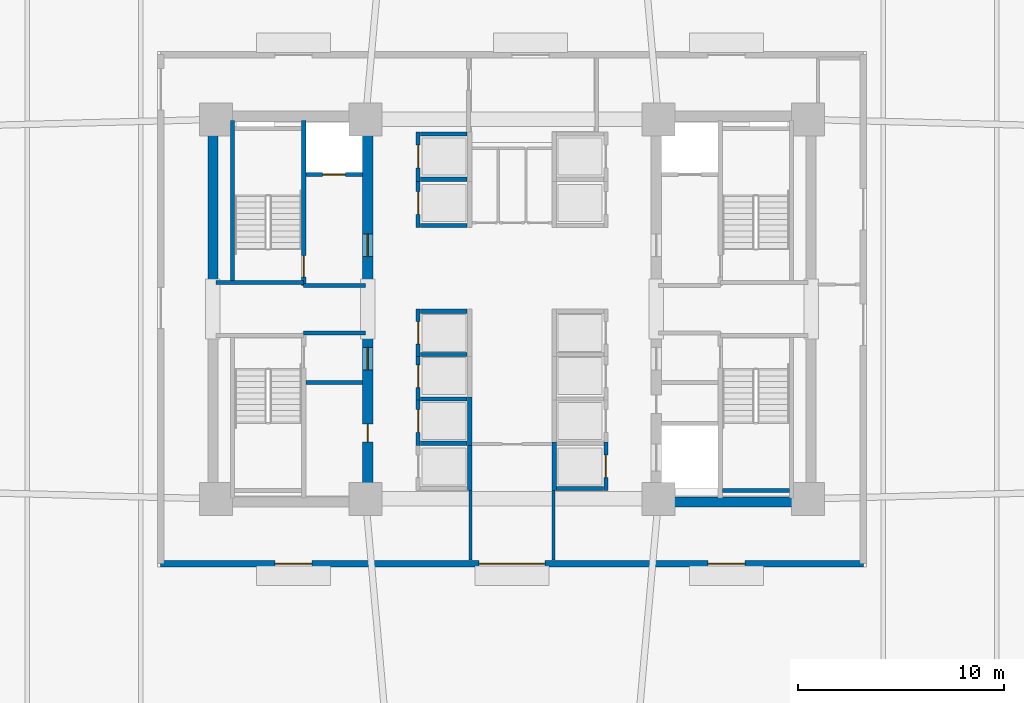
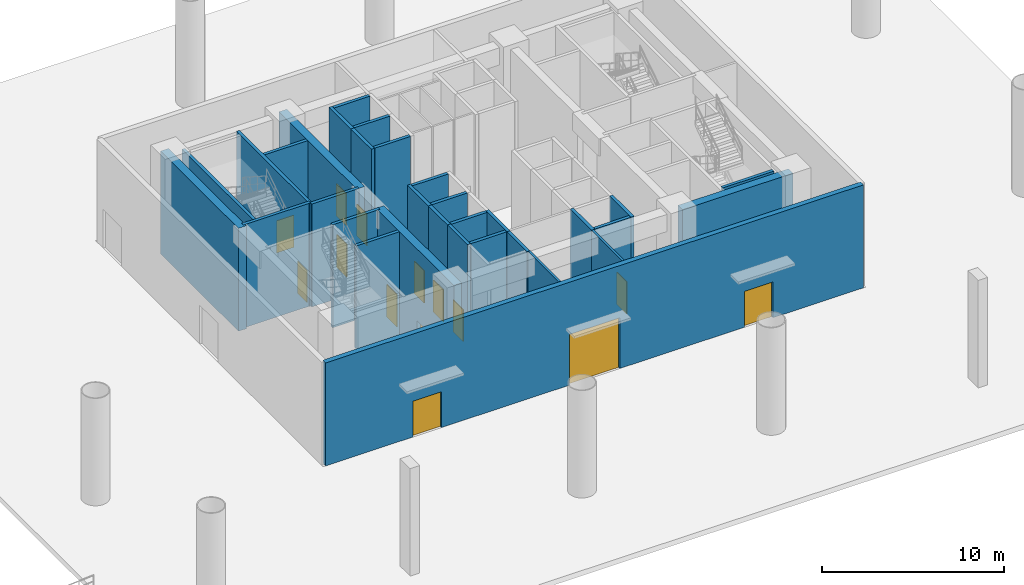
# One storey, part 3 of 10: 32 walls, 14 doors, 14 openings.
"""IFC4 building model written with IfcOpenShell, lengths in metres."""

import ifcopenshell
import ifcopenshell.guid

model = None  # the IFC model being written
_history = None  # IfcOwnerHistory: only IFC2X3 demands one
_inside = {}  # id of a spatial element -> (the spatial element, [elements in it])
_under = {}  # id of a project, library or spatial element -> (it, [spatial elements below it])
_declared = {}  # id of a project -> (the project, [libraries it declares])
_typed = {}  # id of a type object -> (the type object, [elements of that type])
_made_of = {}  # id of a material, layer set ... -> (it, [elements and type objects made of it])


def new_model(schema):
    """Start an empty IFC model of exactly this schema.

    Asked for "IFC4X3", IfcOpenShell would pick the latest addendum, in which some entities
    have other attributes; the version numbers below select the first issue.
    IFC2X3 requires an IfcOwnerHistory on every rooted entity: one is made here for all.
    """
    global model, _history
    if schema == "IFC4X3":
        model = ifcopenshell.file(schema_version=(4, 3, 0, 0))
    else:
        model = ifcopenshell.file(schema=schema)
    _inside.clear()
    _under.clear()
    _declared.clear()
    _typed.clear()
    _made_of.clear()
    _history = None
    if model.schema == "IFC2X3":
        org = make("IfcOrganization", Name="unknown")
        user = make(
            "IfcPersonAndOrganization",
            ThePerson=make("IfcPerson", FamilyName="unknown"),
            TheOrganization=org,
        )
        app = make(
            "IfcApplication",
            ApplicationDeveloper=org,
            Version="unknown",
            ApplicationFullName="unknown",
            ApplicationIdentifier="unknown",
        )
        _history = make(
            "IfcOwnerHistory",
            OwningUser=user,
            OwningApplication=app,
            ChangeAction="ADDED",
            CreationDate=0,
        )
    return model


def make(cls, **values):
    """One entity of the class cls with the attributes given. An attribute that is None is left unset."""
    return model.create_entity(
        cls, **{name: value for name, value in values.items() if value is not None}
    )


def rooted(cls, **values):
    """An entity with a GlobalId (a new one), such as an element, a storey or a relation."""
    return make(cls, GlobalId=ifcopenshell.guid.new(), OwnerHistory=_history, **values)


def si_unit(unit_type, name, prefix=None):
    """IfcSIUnit, for example si_unit("LENGTHUNIT", "METRE", prefix="MILLI")."""
    return make("IfcSIUnit", UnitType=unit_type, Prefix=prefix, Name=name)


def assignment(units):
    """IfcUnitAssignment: the units of a project."""
    return None if units is None else make("IfcUnitAssignment", Units=units)


def point(xyz):
    """IfcCartesianPoint."""
    return None if xyz is None else make("IfcCartesianPoint", Coordinates=xyz)


def direction(xyz):
    """IfcDirection."""
    return None if xyz is None else make("IfcDirection", DirectionRatios=xyz)


def frame(location, z_axis=None, x_axis=None):
    """IfcAxis2Placement3D, a coordinate frame: its origin and axes. An axis left out is left unset."""
    return make(
        "IfcAxis2Placement3D",
        Location=point(location),
        Axis=direction(z_axis),
        RefDirection=direction(x_axis),
    )


def frame_2d(location, x_axis=None):
    """IfcAxis2Placement2D, a coordinate frame in the plane: its origin and x axis."""
    return make(
        "IfcAxis2Placement2D", Location=point(location), RefDirection=direction(x_axis)
    )


def origin():
    """The frame at (0, 0, 0) with its axes left unset."""
    return frame((0.0, 0.0, 0.0))


def place(relative_to, where):
    """IfcLocalPlacement: puts the frame where relative to a parent placement (None: the world)."""
    return make(
        "IfcLocalPlacement", PlacementRelTo=relative_to, RelativePlacement=where
    )


def context(
    kind, dimensions, precision=None, world=None, true_north=None, identifier=None
):
    """IfcGeometricRepresentationContext, for example the 3D "Model" context."""
    return make(
        "IfcGeometricRepresentationContext",
        ContextIdentifier=identifier,
        ContextType=kind,
        CoordinateSpaceDimension=dimensions,
        Precision=precision,
        WorldCoordinateSystem=world,
        TrueNorth=true_north,
    )


def subcontext(parent, identifier, kind, view, scale=None):
    """IfcGeometricRepresentationSubContext, for example "Body" below "Model"."""
    return make(
        "IfcGeometricRepresentationSubContext",
        ContextIdentifier=identifier,
        ContextType=kind,
        ParentContext=parent,
        TargetScale=scale,
        TargetView=view,
    )


def project(units=None, contexts=None):
    """IfcProject with its units and contexts."""
    return rooted(
        "IfcProject",
        Name="project",
        RepresentationContexts=contexts,
        UnitsInContext=assignment(units),
    )


def spatial(cls, under=None, at=None, **own):
    """A site, building, storey or space (cls), placed at a placement, below another one or the project."""
    s = rooted(cls, ObjectPlacement=at, **own)
    if under is not None:
        _under.setdefault(under.id(), (under, []))[1].append(s)
    return s


def profile(cls, at=None, kind="AREA", **sizes):
    """A parametric profile (cls). Its sizes go by their IFC names, for example OverallWidth=200.0."""
    return make(cls, ProfileType=kind, Position=at, **sizes)


def rectangle(**sizes):
    """IfcRectangleProfileDef."""
    return profile("IfcRectangleProfileDef", **sizes)


def extrude(swept, where, along, depth):
    """IfcExtrudedAreaSolid: the profile swept, set in the frame where, extruded along a direction by depth."""
    return make(
        "IfcExtrudedAreaSolid",
        SweptArea=swept,
        Position=where,
        ExtrudedDirection=direction(along),
        Depth=depth,
    )


def shape(context_of_items, identifier, shape_type, items):
    """IfcShapeRepresentation: the items that make up one representation, for example the "Body"."""
    return make(
        "IfcShapeRepresentation",
        ContextOfItems=context_of_items,
        RepresentationIdentifier=identifier,
        RepresentationType=shape_type,
        Items=items,
    )


def source(mapping_origin, context_of_items, identifier, shape_type, items):
    """IfcRepresentationMap: a shape defined once, which mapped items show again and again."""
    return make(
        "IfcRepresentationMap",
        MappingOrigin=mapping_origin,
        MappedRepresentation=shape(context_of_items, identifier, shape_type, items),
    )


def transform(
    local_origin,
    x_axis=None,
    y_axis=None,
    z_axis=None,
    scale=None,
    scale2=None,
    scale3=None,
    uniform=True,
):
    """IfcCartesianTransformationOperator3D, or its non-uniform kind. x_axis, y_axis, z_axis: its Axis1, 2, 3."""
    if uniform:
        return make(
            "IfcCartesianTransformationOperator3D",
            Axis1=direction(x_axis),
            Axis2=direction(y_axis),
            LocalOrigin=point(local_origin),
            Scale=scale,
            Axis3=direction(z_axis),
        )
    return make(
        "IfcCartesianTransformationOperator3DnonUniform",
        Axis1=direction(x_axis),
        Axis2=direction(y_axis),
        LocalOrigin=point(local_origin),
        Scale=scale,
        Axis3=direction(z_axis),
        Scale2=scale2,
        Scale3=scale3,
    )


def mapped(mapping_source, mapping_target):
    """IfcMappedItem: shows the shape of a source again, moved by a transform."""
    return make(
        "IfcMappedItem", MappingSource=mapping_source, MappingTarget=mapping_target
    )


def material(Name=None, Category=None):
    """IfcMaterial."""
    return make("IfcMaterial", Name=Name, Category=Category)


def layer(
    of_material, thickness, ventilated=None, Name=None, Category=None, Priority=None
):
    """IfcMaterialLayer: one layer of a wall or slab, of a material (None: an air gap)."""
    return make(
        "IfcMaterialLayer",
        Material=of_material,
        LayerThickness=thickness,
        IsVentilated=ventilated,
        Name=Name,
        Category=Category,
        Priority=Priority,
    )


def layer_set(layers, Name=None):
    """IfcMaterialLayerSet."""
    return make("IfcMaterialLayerSet", MaterialLayers=layers, LayerSetName=Name)


def made_of(thing, what):
    """Note that an element or type object is made of a material, layer set ...; save() writes the relation."""
    if what is not None:
        _made_of.setdefault(what.id(), (what, []))[1].append(thing)
    return thing


def type_object(cls, material=None, **own):
    """A type object (cls), such as IfcWallType, which elements share."""
    return made_of(rooted(cls, **own), material)


def element(
    cls,
    number,
    at=None,
    inside=None,
    cuts=None,
    type_object=None,
    material=None,
    context=None,
    identifier="Body",
    shape_type=None,
    held_by="IfcProductDefinitionShape",
    body=None,
    shapes=None,
    **own,
):
    """One element of the class cls, such as IfcWall. Its Tag is "e" and its number.

    at: its placement. inside: the storey or other place that contains it. cuts: it is an
    opening in that element (IfcRelVoidsElement). A single representation is given by context,
    identifier, shape_type and body (its items); several are given by shapes. held_by: the class
    of the entity that holds the representations. save() writes the other relations.
    """
    e = rooted(cls, Tag="e%d" % number, ObjectPlacement=at, **own)
    if body is not None:
        shapes = [shape(context, identifier, shape_type, body)]
    if shapes is not None:
        e.Representation = make(held_by, Representations=shapes)
    if inside is not None:
        _inside.setdefault(inside.id(), (inside, []))[1].append(e)
    if cuts is not None:
        rooted(
            "IfcRelVoidsElement", RelatingBuildingElement=cuts, RelatedOpeningElement=e
        )
    if type_object is not None:
        _typed.setdefault(type_object.id(), (type_object, []))[1].append(e)
    return made_of(e, material)


def fill(opening, filler):
    """IfcRelFillsElement: the door or window that sits in an opening."""
    return rooted(
        "IfcRelFillsElement",
        RelatingOpeningElement=opening,
        RelatedBuildingElement=filler,
    )


def aggregate(whole, parts):
    """IfcRelAggregates: a whole, such as a stair, and the parts it consists of."""
    return rooted("IfcRelAggregates", RelatingObject=whole, RelatedObjects=parts)


def save(model, path):
    """Write the relations noted so far, then the file.

    IfcRelAggregates (storeys below a building ...), IfcRelContainedInSpatialStructure (elements
    in a storey), IfcRelDefinesByType, IfcRelAssociatesMaterial and IfcRelDeclares: one each for
    every whole, place, type object, material and project.
    """
    for whole, parts in _under.values():
        aggregate(whole, parts)
    for where, things in _inside.values():
        rooted(
            "IfcRelContainedInSpatialStructure",
            RelatedElements=things,
            RelatingStructure=where,
        )
    for kind, things in _typed.values():
        rooted("IfcRelDefinesByType", RelatedObjects=things, RelatingType=kind)
    for what, things in _made_of.values():
        rooted("IfcRelAssociatesMaterial", RelatedObjects=things, RelatingMaterial=what)
    for by, libraries in _declared.values():
        rooted("IfcRelDeclares", RelatingContext=by, RelatedDefinitions=libraries)
    model.write(path)


model = new_model("IFC4")

# Units and contexts
model_context = context("Model", 3, precision=1e-05, world=origin(), true_north=direction((0.0, 1.0)))
body_context = subcontext(model_context, "Body", "Model", "MODEL_VIEW")
ifc_project = project(units=[si_unit("LENGTHUNIT", "METRE"), si_unit("AREAUNIT", "SQUARE_METRE"), si_unit("VOLUMEUNIT", "CUBIC_METRE"), si_unit("PLANEANGLEUNIT", "RADIAN"), si_unit("MASSUNIT", "GRAM", prefix="KILO")], contexts=[model_context])

# Site, building, storey
site_placement = place(None, origin())
site = spatial("IfcSite", under=ifc_project, at=site_placement, CompositionType="ELEMENT")
building_placement = place(site_placement, origin())
building = spatial("IfcBuilding", under=site, at=building_placement, Name="Zahravan Cultural Tower", CompositionType="ELEMENT")
storey_placement = place(building_placement, origin())
storey = spatial("IfcBuildingStorey", under=building, at=storey_placement, Name="L00", CompositionType="ELEMENT", Elevation=0.0)

# Wall, openings, doors
ifc_material_1 = material(Name="Concrete C60/75", Category="concrete")
ifc_layer_1 = layer(ifc_material_1, 0.5)
ifc_layer_set_1 = layer_set([ifc_layer_1], Name="Concrete C60/75")
wall_type_1 = type_object("IfcWallType", Name="CW-SHEAR-500-C60", PredefinedType="SHEAR", material=ifc_layer_set_1)
wall_1_placement = place(storey_placement, frame((29.0, 17.39990234375, 0.0), z_axis=(0.0, 0.0, 1.0), x_axis=(0.0, 1.0, 0.0)))
wall_1 = element("IfcWall", 1, at=wall_1_placement, inside=storey, type_object=wall_type_1, Name="L00 Core Shear Wall CW-W-ES-L00", PredefinedType="SHEAR", context=body_context, shape_type="SweptSolid", body=[
    extrude(rectangle(XDim=8.550048828125, YDim=0.5, at=frame_2d((4.27490234375, 0.0))), origin(), (0.0, 0.0, 1.0), 6.89990234375),
])
opening_1_placement = place(wall_1_placement, frame((6.64990234375, 0.0, 0.0)))
opening_1 = element("IfcOpeningElement", 2, at=opening_1_placement, cuts=wall_1, Name="Opening D-L00-07", PredefinedType="OPENING", context=body_context, shape_type="SweptSolid", body=[
    extrude(rectangle(XDim=1.10009765625, YDim=2.199951171875, at=frame_2d((0.550048828125, 1.10009765625))), frame((0.0, 0.260009765625, 0.0), z_axis=(0.0, -1.0, 0.0), x_axis=(1.0, 0.0, 0.0)), (0.0, 0.0, 1.0), 0.52001953125),
])
opening_2_placement = place(wall_1_placement, frame((3.14990234375, 0.0, 0.0)))
opening_2 = element("IfcOpeningElement", 3, at=opening_2_placement, cuts=wall_1, Name="Opening D-L00-09", PredefinedType="OPENING", context=body_context, shape_type="SweptSolid", body=[
    extrude(rectangle(XDim=0.8798828125, YDim=2.10009765625, at=frame_2d((0.43994140625, 1.050048828125))), frame((0.0, 0.260009765625, 0.0), z_axis=(0.0, -1.0, 0.0), x_axis=(1.0, 0.0, 0.0)), (0.0, 0.0, 1.0), 0.52001953125),
])
ifc_material_2 = material(Name="Steel ASTM A572 Grade 50", Category="steel")
door_type_1 = type_object("IfcDoorType", Name="DR-LOBBY-1100", OperationType="NOTDEFINED", PredefinedType="DOOR", material=ifc_material_2)
shared_shape_1 = source(origin(), body_context, "Body", "SweptSolid", [
    extrude(rectangle(XDim=1.10009765625, YDim=2.199951171875, at=frame_2d((0.550048828125, 1.10009765625))), frame((0.0, 0.02490234375, 0.0), z_axis=(0.0, -1.0, 0.0), x_axis=(1.0, 0.0, 0.0)), (0.0, 0.0, 1.0), 0.050048828125),
])
door_1_placement = place(opening_1_placement, origin())
door_1 = element("IfcDoor", 4, at=door_1_placement, inside=storey, type_object=door_type_1, Name="L00 Door D-L00-07", OperationType="SINGLE_SWING_LEFT", OverallHeight=2.199951171875, OverallWidth=1.10009765625, PredefinedType="DOOR", context=body_context, shape_type="MappedRepresentation", body=[
    mapped(shared_shape_1, transform((0.0, 0.0, 0.0), x_axis=(1.0, 0.0, 0.0), y_axis=(0.0, 1.0, 0.0), z_axis=(0.0, 0.0, 1.0), scale=1.0)),
])
fill(opening_1, door_1)
door_type_2 = type_object("IfcDoorType", Name="DR-SVC-880", OperationType="NOTDEFINED", PredefinedType="DOOR", material=ifc_material_2)
shared_shape_2 = source(origin(), body_context, "Body", "SweptSolid", [
    extrude(rectangle(XDim=0.8798828125, YDim=2.10009765625, at=frame_2d((0.43994140625, 1.050048828125))), frame((0.0, 0.02490234375, 0.0), z_axis=(0.0, -1.0, 0.0), x_axis=(1.0, 0.0, 0.0)), (0.0, 0.0, 1.0), 0.050048828125),
])
door_2_placement = place(opening_2_placement, origin())
door_2 = element("IfcDoor", 5, at=door_2_placement, inside=storey, type_object=door_type_2, Name="L00 Door D-L00-09", OperationType="SINGLE_SWING_LEFT", OverallHeight=2.10009765625, OverallWidth=0.8798828125, PredefinedType="DOOR", context=body_context, shape_type="MappedRepresentation", body=[
    mapped(shared_shape_2, transform((0.0, 0.0, 0.0), x_axis=(1.0, 0.0, 0.0), y_axis=(0.0, 1.0, 0.0), z_axis=(0.0, 0.0, 1.0), scale=1.0)),
])
fill(opening_2, door_2)

# Wall, opening, door
wall_2_placement = place(storey_placement, frame((29.0, 28.050048828125, 0.0), z_axis=(0.0, 0.0, 1.0), x_axis=(0.0, 1.0, 0.0)))
wall_2 = element("IfcWall", 6, at=wall_2_placement, inside=storey, type_object=wall_type_1, Name="L00 Core Shear Wall CW-W-EN-L00", PredefinedType="SHEAR", context=body_context, shape_type="SweptSolid", body=[
    extrude(rectangle(XDim=8.550048828125, YDim=0.5, at=frame_2d((4.27490234375, 0.0))), origin(), (0.0, 0.0, 1.0), 6.89990234375),
])
opening_3_placement = place(wall_2_placement, frame((1.5, 0.0, 0.0)))
opening_3 = element("IfcOpeningElement", 7, at=opening_3_placement, cuts=wall_2, Name="Opening D-L00-05", PredefinedType="OPENING", context=body_context, shape_type="SweptSolid", body=[
    extrude(rectangle(XDim=1.10009765625, YDim=2.199951171875, at=frame_2d((0.550048828125, 1.10009765625))), frame((0.0, 0.260009765625, 0.0), z_axis=(0.0, -1.0, 0.0), x_axis=(1.0, 0.0, 0.0)), (0.0, 0.0, 1.0), 0.52001953125),
])
door_3_placement = place(opening_3_placement, origin())
door_3 = element("IfcDoor", 8, at=door_3_placement, inside=storey, type_object=door_type_1, Name="L00 Door D-L00-05", OperationType="SINGLE_SWING_LEFT", OverallHeight=2.199951171875, OverallWidth=1.10009765625, PredefinedType="DOOR", context=body_context, shape_type="MappedRepresentation", body=[
    mapped(shared_shape_1, transform((0.0, 0.0, 0.0), x_axis=(1.0, 0.0, 0.0), y_axis=(0.0, 1.0, 0.0), z_axis=(0.0, 0.0, 1.0), scale=1.0)),
])
fill(opening_3, door_3)

# Wall, openings, doors
ifc_material_3 = material(Name="Precast concrete C40/50", Category="concrete")
ifc_layer_2 = layer(ifc_material_3, 0.320068359375)
ifc_layer_set_2 = layer_set([ifc_layer_2], Name="Precast concrete C40/50")
wall_type_2 = type_object("IfcWallType", Name="EW-TC-320", PredefinedType="SOLIDWALL", material=ifc_layer_set_2)
wall_3_placement = place(storey_placement, frame((53.0400390625, 14.659912109375, 0.0), z_axis=(0.0, 0.0, 1.0), x_axis=(-1.0, 0.0, 0.0)))
wall_3 = element("IfcWall", 9, at=wall_3_placement, inside=storey, type_object=wall_type_2, Name="L00 Foyer Exterior Wall EW-L00-S", PredefinedType="SOLIDWALL", context=body_context, shape_type="SweptSolid", body=[
    extrude(rectangle(XDim=34.080078125, YDim=0.320068359375, at=frame_2d((17.0400390625, 0.0))), origin(), (0.0, 0.0, 1.0), 6.89990234375),
])
opening_4_placement = place(wall_3_placement, frame((5.739990234375, 0.0, 0.0)))
opening_4 = element("IfcOpeningElement", 10, at=opening_4_placement, cuts=wall_3, Name="Opening D-ST-E2", PredefinedType="OPENING", context=body_context, shape_type="SweptSolid", body=[
    extrude(rectangle(XDim=1.800048828125, YDim=2.39990234375, at=frame_2d((0.89990234375, 1.199951171875))), frame((0.0, 0.169921875, 0.0), z_axis=(0.0, -1.0, 0.0), x_axis=(1.0, 0.0, 0.0)), (0.0, 0.0, 1.0), 0.340087890625),
])
opening_5_placement = place(wall_3_placement, frame((15.43994140625, 0.0, 0.0)))
opening_5 = element("IfcOpeningElement", 11, at=opening_5_placement, cuts=wall_3, Name="Opening GT-01", PredefinedType="OPENING", context=body_context, shape_type="SweptSolid", body=[
    extrude(rectangle(XDim=3.199951171875, YDim=3.39990234375, at=frame_2d((1.60009765625, 1.699951171875))), frame((0.0, 0.169921875, 0.0), z_axis=(0.0, -1.0, 0.0), x_axis=(1.0, 0.0, 0.0)), (0.0, 0.0, 1.0), 0.340087890625),
])
opening_6_placement = place(wall_3_placement, frame((26.739990234375, 0.0, 0.0)))
opening_6 = element("IfcOpeningElement", 12, at=opening_6_placement, cuts=wall_3, Name="Opening D-ST-W2", PredefinedType="OPENING", context=body_context, shape_type="SweptSolid", body=[
    extrude(rectangle(XDim=1.800048828125, YDim=2.39990234375, at=frame_2d((0.89990234375, 1.199951171875))), frame((0.0, 0.169921875, 0.0), z_axis=(0.0, -1.0, 0.0), x_axis=(1.0, 0.0, 0.0)), (0.0, 0.0, 1.0), 0.340087890625),
])
ifc_material_4 = material(Name="Anodised bronze-aluminium mullion", Category="aluminium")
door_type_3 = type_object("IfcDoorType", Name="DR-EXIT-1800", OperationType="DOUBLE_DOOR_SINGLE_SWING", PredefinedType="DOOR", material=ifc_material_4)
shared_shape_3 = source(origin(), body_context, "Body", "SweptSolid", [
    extrude(rectangle(XDim=1.800048828125, YDim=2.39990234375, at=frame_2d((0.89990234375, 1.199951171875))), frame((0.0, 0.02490234375, 0.0), z_axis=(0.0, -1.0, 0.0), x_axis=(1.0, 0.0, 0.0)), (0.0, 0.0, 1.0), 0.050048828125),
])
door_4_placement = place(opening_4_placement, origin())
door_4 = element("IfcDoor", 13, at=door_4_placement, inside=storey, type_object=door_type_3, Name="L00 Exterior Door D-ST-E2", OperationType="DOUBLE_DOOR_SINGLE_SWING", OverallHeight=2.39990234375, OverallWidth=1.800048828125, PredefinedType="DOOR", context=body_context, shape_type="MappedRepresentation", body=[
    mapped(shared_shape_3, transform((0.0, 0.0, 0.0), x_axis=(1.0, 0.0, 0.0), y_axis=(0.0, 1.0, 0.0), z_axis=(0.0, 0.0, 1.0), scale=1.0)),
])
fill(opening_4, door_4)
door_5_placement = place(opening_6_placement, origin())
door_5 = element("IfcDoor", 14, at=door_5_placement, inside=storey, type_object=door_type_3, Name="L00 Exterior Door D-ST-W2", OperationType="DOUBLE_DOOR_SINGLE_SWING", OverallHeight=2.39990234375, OverallWidth=1.800048828125, PredefinedType="DOOR", context=body_context, shape_type="MappedRepresentation", body=[
    mapped(shared_shape_3, transform((0.0, 0.0, 0.0), x_axis=(1.0, 0.0, 0.0), y_axis=(0.0, 1.0, 0.0), z_axis=(0.0, 0.0, 1.0), scale=1.0)),
])
fill(opening_6, door_5)
door_type_4 = type_object("IfcDoorType", Name="GT-DOCK-3200", OperationType="ROLLINGUP", PredefinedType="GATE", material=ifc_material_4)
shared_shape_4 = source(origin(), body_context, "Body", "SweptSolid", [
    extrude(rectangle(XDim=3.199951171875, YDim=3.39990234375, at=frame_2d((1.60009765625, 1.699951171875))), frame((0.0, 0.02490234375, 0.0), z_axis=(0.0, -1.0, 0.0), x_axis=(1.0, 0.0, 0.0)), (0.0, 0.0, 1.0), 0.050048828125),
])
door_6_placement = place(opening_5_placement, origin())
door_6 = element("IfcDoor", 15, at=door_6_placement, inside=storey, type_object=door_type_4, Name="L00 Exterior Door GT-01", OperationType="ROLLINGUP", OverallHeight=3.39990234375, OverallWidth=3.199951171875, PredefinedType="GATE", context=body_context, shape_type="MappedRepresentation", body=[
    mapped(shared_shape_4, transform((0.0, 0.0, 0.0), x_axis=(1.0, 0.0, 0.0), y_axis=(0.0, 1.0, 0.0), z_axis=(0.0, 0.0, 1.0), scale=1.0)),
])
fill(opening_5, door_6)

# Wall, opening, door
ifc_material_5 = material(Name="Concrete C45/55", Category="concrete")
ifc_layer_3 = layer(ifc_material_5, 0.199951171875)
ifc_layer_set_3 = layer_set([ifc_layer_3], Name="Concrete C45/55")
wall_type_3 = type_object("IfcWallType", Name="W-SHAFT-200", PredefinedType="SOLIDWALL", material=ifc_layer_set_3)
wall_4_placement = place(storey_placement, frame((25.89990234375, 28.14990234375, 0.0), z_axis=(0.0, 0.0, 1.0), x_axis=(0.0, 1.0, 0.0)))
wall_4 = element("IfcWall", 16, at=wall_4_placement, inside=storey, type_object=wall_type_3, Name="L00 Interior Wall 006", PredefinedType="SOLIDWALL", context=body_context, shape_type="SweptSolid", body=[
    extrude(rectangle(XDim=8.0, YDim=0.199951171875, at=frame_2d((4.0, 0.0))), origin(), (0.0, 0.0, 1.0), 6.89990234375),
])
opening_7_placement = place(wall_4_placement, frame((0.39990234375, 0.0, 0.0)))
opening_7 = element("IfcOpeningElement", 17, at=opening_7_placement, cuts=wall_4, Name="Opening D-L00-01", PredefinedType="OPENING", context=body_context, shape_type="SweptSolid", body=[
    extrude(rectangle(XDim=1.050048828125, YDim=2.14990234375, at=frame_2d((0.52490234375, 1.074951171875))), frame((0.0, 0.10986328125, 0.0), z_axis=(0.0, -1.0, 0.0), x_axis=(1.0, 0.0, 0.0)), (0.0, 0.0, 1.0), 0.219970703125),
])
door_type_5 = type_object("IfcDoorType", Name="DR-STAIR-1050", OperationType="NOTDEFINED", PredefinedType="DOOR", material=ifc_material_2)
shared_shape_5 = source(origin(), body_context, "Body", "SweptSolid", [
    extrude(rectangle(XDim=1.050048828125, YDim=2.14990234375, at=frame_2d((0.52490234375, 1.074951171875))), frame((0.0, 0.02490234375, 0.0), z_axis=(0.0, -1.0, 0.0), x_axis=(1.0, 0.0, 0.0)), (0.0, 0.0, 1.0), 0.050048828125),
])
door_7_placement = place(opening_7_placement, origin())
door_7 = element("IfcDoor", 18, at=door_7_placement, inside=storey, type_object=door_type_5, Name="L00 Door D-L00-01", OperationType="SINGLE_SWING_LEFT", OverallHeight=2.14990234375, OverallWidth=1.050048828125, PredefinedType="DOOR", context=body_context, shape_type="MappedRepresentation", body=[
    mapped(shared_shape_5, transform((0.0, 0.0, 0.0), x_axis=(1.0, 0.0, 0.0), y_axis=(0.0, 1.0, 0.0), z_axis=(0.0, 0.0, 1.0), scale=1.0)),
])
fill(opening_7, door_7)

wall_5_placement = place(storey_placement, frame((26.0, 33.52001953125, 0.0), z_axis=(0.0, 0.0, 1.0), x_axis=(1.0, 0.0, 0.0)))
wall_5 = element("IfcWall", 19, at=wall_5_placement, inside=storey, type_object=wall_type_3, Name="L00 Interior Wall 021", PredefinedType="SOLIDWALL", context=body_context, shape_type="SweptSolid", body=[
    extrude(rectangle(XDim=2.75, YDim=0.199951171875, at=frame_2d((1.375, 0.0))), origin(), (0.0, 0.0, 1.0), 6.89990234375),
])
opening_8_placement = place(wall_5_placement, frame((0.820068359375, 0.0, 0.0)))
opening_8 = element("IfcOpeningElement", 20, at=opening_8_placement, cuts=wall_5, Name="Opening LD-L00-01", PredefinedType="OPENING", context=body_context, shape_type="SweptSolid", body=[
    extrude(rectangle(XDim=1.10009765625, YDim=2.14990234375, at=frame_2d((0.550048828125, 1.074951171875))), frame((0.0, 0.10986328125, 0.0), z_axis=(0.0, -1.0, 0.0), x_axis=(1.0, 0.0, 0.0)), (0.0, 0.0, 1.0), 0.219970703125),
])
door_type_6 = type_object("IfcDoorType", Name="DR-LIFT-1100", OperationType="DOUBLE_DOOR_SLIDING", PredefinedType="DOOR", material=ifc_material_2)
shared_shape_6 = source(origin(), body_context, "Body", "SweptSolid", [
    extrude(rectangle(XDim=1.10009765625, YDim=2.14990234375, at=frame_2d((0.550048828125, 1.074951171875))), frame((0.0, 0.02490234375, 0.0), z_axis=(0.0, -1.0, 0.0), x_axis=(1.0, 0.0, 0.0)), (0.0, 0.0, 1.0), 0.050048828125),
])
door_8_placement = place(opening_8_placement, origin())
door_8 = element("IfcDoor", 21, at=door_8_placement, inside=storey, type_object=door_type_6, Name="L00 Door LD-L00-01", OperationType="DOUBLE_DOOR_SLIDING", OverallHeight=2.14990234375, OverallWidth=1.10009765625, PredefinedType="DOOR", context=body_context, shape_type="MappedRepresentation", body=[
    mapped(shared_shape_6, transform((0.0, 0.0, 0.0), x_axis=(1.0, 0.0, 0.0), y_axis=(0.0, 1.0, 0.0), z_axis=(0.0, 0.0, 1.0), scale=1.0)),
])
fill(opening_8, door_8)

wall_6_placement = place(storey_placement, frame((31.449951171875, 33.199951171875, 0.0), z_axis=(0.0, 0.0, 1.0), x_axis=(0.0, 1.0, 0.0)))
wall_6 = element("IfcWall", 22, at=wall_6_placement, inside=storey, type_object=wall_type_3, Name="L00 Interior Wall 026", PredefinedType="SOLIDWALL", context=body_context, shape_type="SweptSolid", body=[
    extrude(rectangle(XDim=2.400146484375, YDim=0.199951171875, at=frame_2d((1.2001953125, 0.0))), origin(), (0.0, 0.0, 1.0), 6.89990234375),
])
opening_9_placement = place(wall_6_placement, frame((0.64990234375, 0.0, 0.0)))
opening_9 = element("IfcOpeningElement", 23, at=opening_9_placement, cuts=wall_6, Name="Opening LD-L00-04", PredefinedType="OPENING", context=body_context, shape_type="SweptSolid", body=[
    extrude(rectangle(XDim=1.10009765625, YDim=2.14990234375, at=frame_2d((0.550048828125, 1.074951171875))), frame((0.0, 0.10986328125, 0.0), z_axis=(0.0, -1.0, 0.0), x_axis=(1.0, 0.0, 0.0)), (0.0, 0.0, 1.0), 0.219970703125),
])
door_9_placement = place(opening_9_placement, origin())
door_9 = element("IfcDoor", 24, at=door_9_placement, inside=storey, type_object=door_type_6, Name="L00 Door LD-L00-04", OperationType="DOUBLE_DOOR_SLIDING", OverallHeight=2.14990234375, OverallWidth=1.10009765625, PredefinedType="DOOR", context=body_context, shape_type="MappedRepresentation", body=[
    mapped(shared_shape_6, transform((0.0, 0.0, 0.0), x_axis=(1.0, 0.0, 0.0), y_axis=(0.0, 1.0, 0.0), z_axis=(0.0, 0.0, 1.0), scale=1.0)),
])
fill(opening_9, door_9)

wall_7_placement = place(storey_placement, frame((31.449951171875, 30.949951171875, 0.0), z_axis=(0.0, 0.0, 1.0), x_axis=(0.0, 1.0, 0.0)))
wall_7 = element("IfcWall", 25, at=wall_7_placement, inside=storey, type_object=wall_type_3, Name="L00 Interior Wall 030", PredefinedType="SOLIDWALL", context=body_context, shape_type="SweptSolid", body=[
    extrude(rectangle(XDim=2.400146484375, YDim=0.199951171875, at=frame_2d((1.2001953125, 0.0))), origin(), (0.0, 0.0, 1.0), 6.89990234375),
])
opening_10_placement = place(wall_7_placement, frame((0.64990234375, 0.0, 0.0)))
opening_10 = element("IfcOpeningElement", 26, at=opening_10_placement, cuts=wall_7, Name="Opening LD-L00-05", PredefinedType="OPENING", context=body_context, shape_type="SweptSolid", body=[
    extrude(rectangle(XDim=1.10009765625, YDim=2.14990234375, at=frame_2d((0.550048828125, 1.074951171875))), frame((0.0, 0.10986328125, 0.0), z_axis=(0.0, -1.0, 0.0), x_axis=(1.0, 0.0, 0.0)), (0.0, 0.0, 1.0), 0.219970703125),
])
door_10_placement = place(opening_10_placement, origin())
door_10 = element("IfcDoor", 27, at=door_10_placement, inside=storey, type_object=door_type_6, Name="L00 Door LD-L00-05", OperationType="DOUBLE_DOOR_SLIDING", OverallHeight=2.14990234375, OverallWidth=1.10009765625, PredefinedType="DOOR", context=body_context, shape_type="MappedRepresentation", body=[
    mapped(shared_shape_6, transform((0.0, 0.0, 0.0), x_axis=(1.0, 0.0, 0.0), y_axis=(0.0, 1.0, 0.0), z_axis=(0.0, 0.0, 1.0), scale=1.0)),
])
fill(opening_10, door_10)

wall_8_placement = place(storey_placement, frame((31.449951171875, 20.39990234375, 0.0), z_axis=(0.0, 0.0, 1.0), x_axis=(0.0, 1.0, 0.0)))
wall_8 = element("IfcWall", 28, at=wall_8_placement, inside=storey, type_object=wall_type_3, Name="L00 Interior Wall 040", PredefinedType="SOLIDWALL", context=body_context, shape_type="SweptSolid", body=[
    extrude(rectangle(XDim=2.35009765625, YDim=0.199951171875, at=frame_2d((1.175048828125, 0.0))), origin(), (0.0, 0.0, 1.0), 6.89990234375),
])
opening_11_placement = place(wall_8_placement, frame((0.625, 0.0, 0.0)))
opening_11 = element("IfcOpeningElement", 29, at=opening_11_placement, cuts=wall_8, Name="Opening LD-L00-08", PredefinedType="OPENING", context=body_context, shape_type="SweptSolid", body=[
    extrude(rectangle(XDim=1.10009765625, YDim=2.14990234375, at=frame_2d((0.550048828125, 1.074951171875))), frame((0.0, 0.10986328125, 0.0), z_axis=(0.0, -1.0, 0.0), x_axis=(1.0, 0.0, 0.0)), (0.0, 0.0, 1.0), 0.219970703125),
])
door_11_placement = place(opening_11_placement, origin())
door_11 = element("IfcDoor", 30, at=door_11_placement, inside=storey, type_object=door_type_6, Name="L00 Door LD-L00-08", OperationType="DOUBLE_DOOR_SLIDING", OverallHeight=2.14990234375, OverallWidth=1.10009765625, PredefinedType="DOOR", context=body_context, shape_type="MappedRepresentation", body=[
    mapped(shared_shape_6, transform((0.0, 0.0, 0.0), x_axis=(1.0, 0.0, 0.0), y_axis=(0.0, 1.0, 0.0), z_axis=(0.0, 0.0, 1.0), scale=1.0)),
])
fill(opening_11, door_11)

wall_9_placement = place(storey_placement, frame((40.550048828125, 18.199951171875, 0.0), z_axis=(0.0, 0.0, 1.0), x_axis=(0.0, 1.0, 0.0)))
wall_9 = element("IfcWall", 31, at=wall_9_placement, inside=storey, type_object=wall_type_3, Name="L00 Interior Wall 052", PredefinedType="SOLIDWALL", context=body_context, shape_type="SweptSolid", body=[
    extrude(rectangle(XDim=2.35009765625, YDim=0.199951171875, at=frame_2d((1.175048828125, 0.0))), origin(), (0.0, 0.0, 1.0), 6.89990234375),
])
opening_12_placement = place(wall_9_placement, frame((0.625, 0.0, 0.0)))
opening_12 = element("IfcOpeningElement", 32, at=opening_12_placement, cuts=wall_9, Name="Opening LD-L00-11", PredefinedType="OPENING", context=body_context, shape_type="SweptSolid", body=[
    extrude(rectangle(XDim=1.10009765625, YDim=2.14990234375, at=frame_2d((0.550048828125, 1.074951171875))), frame((0.0, 0.10986328125, 0.0), z_axis=(0.0, -1.0, 0.0), x_axis=(1.0, 0.0, 0.0)), (0.0, 0.0, 1.0), 0.219970703125),
])
door_12_placement = place(opening_12_placement, origin())
door_12 = element("IfcDoor", 33, at=door_12_placement, inside=storey, type_object=door_type_6, Name="L00 Door LD-L00-11", OperationType="DOUBLE_DOOR_SLIDING", OverallHeight=2.14990234375, OverallWidth=1.10009765625, PredefinedType="DOOR", context=body_context, shape_type="MappedRepresentation", body=[
    mapped(shared_shape_6, transform((0.0, 0.0, 0.0), x_axis=(1.0, 0.0, 0.0), y_axis=(0.0, 1.0, 0.0), z_axis=(0.0, 0.0, 1.0), scale=1.0)),
])
fill(opening_12, door_12)

wall_10_placement = place(storey_placement, frame((31.449951171875, 24.699951171875, 0.0), z_axis=(0.0, 0.0, 1.0), x_axis=(0.0, 1.0, 0.0)))
wall_10 = element("IfcWall", 34, at=wall_10_placement, inside=storey, type_object=wall_type_3, Name="L00 Interior Wall 054", PredefinedType="SOLIDWALL", context=body_context, shape_type="SweptSolid", body=[
    extrude(rectangle(XDim=2.300048828125, YDim=0.199951171875, at=frame_2d((1.14990234375, 0.0))), origin(), (0.0, 0.0, 1.0), 6.89990234375),
])
opening_13_placement = place(wall_10_placement, frame((0.60009765625, 0.0, 0.0)))
opening_13 = element("IfcOpeningElement", 35, at=opening_13_placement, cuts=wall_10, Name="Opening LD-L00-12", PredefinedType="OPENING", context=body_context, shape_type="SweptSolid", body=[
    extrude(rectangle(XDim=1.10009765625, YDim=2.14990234375, at=frame_2d((0.550048828125, 1.074951171875))), frame((0.0, 0.10986328125, 0.0), z_axis=(0.0, -1.0, 0.0), x_axis=(1.0, 0.0, 0.0)), (0.0, 0.0, 1.0), 0.219970703125),
])
door_13_placement = place(opening_13_placement, origin())
door_13 = element("IfcDoor", 36, at=door_13_placement, inside=storey, type_object=door_type_6, Name="L00 Door LD-L00-12", OperationType="DOUBLE_DOOR_SLIDING", OverallHeight=2.14990234375, OverallWidth=1.10009765625, PredefinedType="DOOR", context=body_context, shape_type="MappedRepresentation", body=[
    mapped(shared_shape_6, transform((0.0, 0.0, 0.0), x_axis=(1.0, 0.0, 0.0), y_axis=(0.0, 1.0, 0.0), z_axis=(0.0, 0.0, 1.0), scale=1.0)),
])
fill(opening_13, door_13)

wall_11_placement = place(storey_placement, frame((31.449951171875, 22.60009765625, 0.0), z_axis=(0.0, 0.0, 1.0), x_axis=(0.0, 1.0, 0.0)))
wall_11 = element("IfcWall", 37, at=wall_11_placement, inside=storey, type_object=wall_type_3, Name="L00 Interior Wall 058", PredefinedType="SOLIDWALL", context=body_context, shape_type="SweptSolid", body=[
    extrude(rectangle(XDim=2.2998046875, YDim=0.199951171875, at=frame_2d((1.14990234375, 0.0))), origin(), (0.0, 0.0, 1.0), 6.89990234375),
])
opening_14_placement = place(wall_11_placement, frame((0.60009765625, 0.0, 0.0)))
opening_14 = element("IfcOpeningElement", 38, at=opening_14_placement, cuts=wall_11, Name="Opening LD-L00-13", PredefinedType="OPENING", context=body_context, shape_type="SweptSolid", body=[
    extrude(rectangle(XDim=1.10009765625, YDim=2.14990234375, at=frame_2d((0.550048828125, 1.074951171875))), frame((0.0, 0.10986328125, 0.0), z_axis=(0.0, -1.0, 0.0), x_axis=(1.0, 0.0, 0.0)), (0.0, 0.0, 1.0), 0.219970703125),
])
door_14_placement = place(opening_14_placement, origin())
door_14 = element("IfcDoor", 39, at=door_14_placement, inside=storey, type_object=door_type_6, Name="L00 Door LD-L00-13", OperationType="DOUBLE_DOOR_SLIDING", OverallHeight=2.14990234375, OverallWidth=1.10009765625, PredefinedType="DOOR", context=body_context, shape_type="MappedRepresentation", body=[
    mapped(shared_shape_6, transform((0.0, 0.0, 0.0), x_axis=(1.0, 0.0, 0.0), y_axis=(0.0, 1.0, 0.0), z_axis=(0.0, 0.0, 1.0), scale=1.0)),
])
fill(opening_14, door_14)

# Walls
shared_shape_7 = source(origin(), body_context, "Body", "SweptSolid", [
    extrude(rectangle(XDim=8.550048828125, YDim=0.5, at=frame_2d((4.27490234375, 0.0))), origin(), (0.0, 0.0, 1.0), 6.89990234375),
])
wall_12_placement = place(storey_placement, frame((21.5, 28.050048828125, 0.0), z_axis=(0.0, 0.0, 1.0), x_axis=(0.0, 1.0, 0.0)))
element("IfcWall", 40, at=wall_12_placement, inside=storey, type_object=wall_type_1, Name="L00 Core Shear Wall CW-W-WN-L00", PredefinedType="SHEAR", context=body_context, shape_type="MappedRepresentation", body=[
    mapped(shared_shape_7, transform((0.0, 0.0, 0.0), x_axis=(1.0, 0.0, 0.0), y_axis=(0.0, 1.0, 0.0), z_axis=(0.0, 0.0, 1.0), scale=1.0)),
])
shared_shape_8 = source(origin(), body_context, "Body", "SweptSolid", [
    extrude(rectangle(XDim=7.0, YDim=0.5, at=frame_2d((3.5, 0.0))), origin(), (0.0, 0.0, 1.0), 6.89990234375),
])
wall_13_placement = place(storey_placement, frame((43.25, 17.64990234375, 0.0), z_axis=(0.0, 0.0, 1.0), x_axis=(1.0, 0.0, 0.0)))
element("IfcWall", 41, at=wall_13_placement, inside=storey, type_object=wall_type_1, Name="L00 Core Shear Wall CW-E-S-L00", PredefinedType="SHEAR", context=body_context, shape_type="MappedRepresentation", body=[
    mapped(shared_shape_8, transform((0.0, 0.0, 0.0), x_axis=(1.0, 0.0, 0.0), y_axis=(0.0, 1.0, 0.0), z_axis=(0.0, 0.0, 1.0), scale=1.0)),
])
shared_shape_9 = source(origin(), body_context, "Body", "SweptSolid", [
    extrude(rectangle(XDim=7.869873046875, YDim=0.199951171875, at=frame_2d((3.93505859375, 0.0))), origin(), (0.0, 0.0, 1.0), 6.89990234375),
])
wall_14_placement = place(storey_placement, frame((22.449951171875, 28.280029296875, 0.0), z_axis=(0.0, 0.0, 1.0), x_axis=(0.0, 1.0, 0.0)))
element("IfcWall", 42, at=wall_14_placement, inside=storey, type_object=wall_type_3, Name="L00 Interior Wall 002", PredefinedType="SOLIDWALL", context=body_context, shape_type="MappedRepresentation", body=[
    mapped(shared_shape_9, transform((0.0, 0.0, 0.0), x_axis=(1.0, 0.0, 0.0), y_axis=(0.0, 1.0, 0.0), z_axis=(0.0, 0.0, 1.0), scale=1.0)),
])
shared_shape_10 = source(origin(), body_context, "Body", "SweptSolid", [
    extrude(rectangle(XDim=4.25, YDim=0.199951171875, at=frame_2d((2.125, 0.0))), origin(), (0.0, 0.0, 1.0), 6.89990234375),
])
wall_15_placement = place(storey_placement, frame((21.64990234375, 28.284912109375, 0.0), z_axis=(0.0, 0.0, 1.0), x_axis=(1.0, 0.0, 0.0)))
element("IfcWall", 43, at=wall_15_placement, inside=storey, type_object=wall_type_3, Name="L00 Interior Wall 011", PredefinedType="SOLIDWALL", context=body_context, shape_type="MappedRepresentation", body=[
    mapped(shared_shape_10, transform((0.0, 0.0, 0.0), x_axis=(1.0, 0.0, 0.0), y_axis=(0.0, 1.0, 0.0), z_axis=(0.0, 0.0, 1.0), scale=1.0)),
])
shared_shape_11 = source(origin(), body_context, "Body", "SweptSolid", [
    extrude(rectangle(XDim=3.0, YDim=0.199951171875, at=frame_2d((1.5, 0.0))), origin(), (0.0, 0.0, 1.0), 6.89990234375),
])
for number, where, z_axis, x_axis, name in (
    (44, (25.89990234375, 25.85009765625, 0.0), (0.0, 0.0, 1.0), (1.0, 0.0, 0.0), "L00 Interior Wall 010"),
    (45, (25.89990234375, 28.14990234375, 0.0), (0.0, 0.0, 1.0), (1.0, 0.0, 0.0), "L00 Interior Wall 012"),
):
    element("IfcWall", number, at=place(storey_placement, frame(where, z_axis=z_axis, x_axis=x_axis)), inside=storey, type_object=wall_type_3, Name=name, PredefinedType="SOLIDWALL", context=body_context, shape_type="MappedRepresentation", body=[
        mapped(shared_shape_11, transform((0.0, 0.0, 0.0), x_axis=(1.0, 0.0, 0.0), y_axis=(0.0, 1.0, 0.0), z_axis=(0.0, 0.0, 1.0), scale=1.0)),
    ])
shared_shape_12 = source(origin(), body_context, "Body", "SweptSolid", [
    extrude(rectangle(XDim=3.25, YDim=0.199951171875, at=frame_2d((1.625, 0.0))), origin(), (0.0, 0.0, 1.0), 6.89990234375),
])
wall_16_placement = place(storey_placement, frame((46.199951171875, 18.199951171875, 0.0), z_axis=(0.0, 0.0, 1.0), x_axis=(1.0, 0.0, 0.0)))
element("IfcWall", 46, at=wall_16_placement, inside=storey, type_object=wall_type_3, Name="L00 Interior Wall 020", PredefinedType="SOLIDWALL", context=body_context, shape_type="MappedRepresentation", body=[
    mapped(shared_shape_12, transform((0.0, 0.0, 0.0), x_axis=(1.0, 0.0, 0.0), y_axis=(0.0, 1.0, 0.0), z_axis=(0.0, 0.0, 1.0), scale=1.0)),
])
shared_shape_13 = source(origin(), body_context, "Body", "SweptSolid", [
    extrude(rectangle(XDim=2.75, YDim=0.199951171875, at=frame_2d((1.375, 0.0))), origin(), (0.0, 0.0, 1.0), 6.89990234375),
])
wall_17_placement = place(storey_placement, frame((26.0, 23.449951171875, 0.0), z_axis=(0.0, 0.0, 1.0), x_axis=(1.0, 0.0, 0.0)))
element("IfcWall", 47, at=wall_17_placement, inside=storey, type_object=wall_type_3, Name="L00 Interior Wall 023", PredefinedType="SOLIDWALL", context=body_context, shape_type="MappedRepresentation", body=[
    mapped(shared_shape_13, transform((0.0, 0.0, 0.0), x_axis=(1.0, 0.0, 0.0), y_axis=(0.0, 1.0, 0.0), z_axis=(0.0, 0.0, 1.0), scale=1.0)),
])
shared_shape_14 = source(origin(), body_context, "Body", "SweptSolid", [
    extrude(rectangle(XDim=2.260009765625, YDim=0.199951171875, at=frame_2d((1.1298828125, 0.0))), origin(), (0.0, 0.0, 1.0), 6.89990234375),
])
for number, where, z_axis, x_axis, name in (
    (48, (31.570068359375, 33.300048828125, 0.0), (0.0, 0.0, 1.0), (1.0, 0.0, 0.0), "L00 Interior Wall 028"),
    (49, (31.570068359375, 35.5, 0.0), (0.0, 0.0, 1.0), (1.0, 0.0, 0.0), "L00 Interior Wall 029"),
    (50, (31.570068359375, 31.050048828125, 0.0), (0.0, 0.0, 1.0), (1.0, 0.0, 0.0), "L00 Interior Wall 032"),
    (51, (31.570068359375, 20.5, 0.0), (0.0, 0.0, 1.0), (1.0, 0.0, 0.0), "L00 Interior Wall 042"),
    (52, (31.570068359375, 22.64990234375, 0.0), (0.0, 0.0, 1.0), (1.0, 0.0, 0.0), "L00 Interior Wall 043"),
    (53, (38.169921875, 18.300048828125, 0.0), (0.0, 0.0, 1.0), (1.0, 0.0, 0.0), "L00 Interior Wall 053"),
    (54, (31.570068359375, 24.800048828125, 0.0), (0.0, 0.0, 1.0), (1.0, 0.0, 0.0), "L00 Interior Wall 056"),
    (55, (31.570068359375, 26.89990234375, 0.0), (0.0, 0.0, 1.0), (1.0, 0.0, 0.0), "L00 Interior Wall 057"),
):
    element("IfcWall", number, at=place(storey_placement, frame(where, z_axis=z_axis, x_axis=x_axis)), inside=storey, type_object=wall_type_3, Name=name, PredefinedType="SOLIDWALL", context=body_context, shape_type="MappedRepresentation", body=[
        mapped(shared_shape_14, transform((0.0, 0.0, 0.0), x_axis=(1.0, 0.0, 0.0), y_axis=(0.0, 1.0, 0.0), z_axis=(0.0, 0.0, 1.0), scale=1.0)),
    ])
shared_shape_15 = source(origin(), body_context, "Body", "SweptSolid", [
    extrude(rectangle(XDim=2.35009765625, YDim=0.199951171875, at=frame_2d((1.175048828125, 0.0))), origin(), (0.0, 0.0, 1.0), 6.89990234375),
])
for number, where, z_axis, x_axis, name in (
    (56, (33.949951171875, 20.39990234375, 0.0), (0.0, 0.0, 1.0), (0.0, 1.0, 0.0), "L00 Interior Wall 041"),
    (57, (33.949951171875, 18.199951171875, 0.0), (0.0, 0.0, 1.0), (0.0, 1.0, 0.0), "L00 Interior Wall 045"),
    (58, (38.050048828125, 18.199951171875, 0.0), (0.0, 0.0, 1.0), (0.0, 1.0, 0.0), "L00 Interior Wall 051"),
):
    element("IfcWall", number, at=place(storey_placement, frame(where, z_axis=z_axis, x_axis=x_axis)), inside=storey, type_object=wall_type_3, Name=name, PredefinedType="SOLIDWALL", context=body_context, shape_type="MappedRepresentation", body=[
        mapped(shared_shape_15, transform((0.0, 0.0, 0.0), x_axis=(1.0, 0.0, 0.0), y_axis=(0.0, 1.0, 0.0), z_axis=(0.0, 0.0, 1.0), scale=1.0)),
    ])
ifc_material_6 = material(Name="Gypsum plasterboard partition")
ifc_layer_4 = layer(ifc_material_6, 0.139892578125)
ifc_layer_set_4 = layer_set([ifc_layer_4], Name="Gypsum plasterboard partition")
wall_type_4 = type_object("IfcWallType", Name="W-PART-140", PredefinedType="PARTITIONING", material=ifc_layer_set_4)
shared_shape_16 = source(origin(), body_context, "Body", "SweptSolid", [
    extrude(rectangle(XDim=3.375, YDim=0.139892578125, at=frame_2d((1.6875, 0.0))), origin(), (0.0, 0.0, 1.0), 6.89990234375),
])
for number, where, z_axis, x_axis, name in (
    (59, (33.989990234375, 14.824951171875, 0.0), (0.0, 0.0, 1.0), (0.0, 1.0, 0.0), "L00 Interior Wall 074"),
    (60, (38.010009765625, 18.199951171875, 0.0), (0.0, 0.0, 1.0), (0.0, -1.0, 0.0), "L00 Interior Wall 076"),
):
    element("IfcWall", number, at=place(storey_placement, frame(where, z_axis=z_axis, x_axis=x_axis)), inside=storey, type_object=wall_type_4, Name=name, PredefinedType="PARTITIONING", context=body_context, shape_type="MappedRepresentation", body=[
        mapped(shared_shape_16, transform((0.0, 0.0, 0.0), x_axis=(1.0, 0.0, 0.0), y_axis=(0.0, 1.0, 0.0), z_axis=(0.0, 0.0, 1.0), scale=1.0)),
    ])

save(model, "model.ifc")
